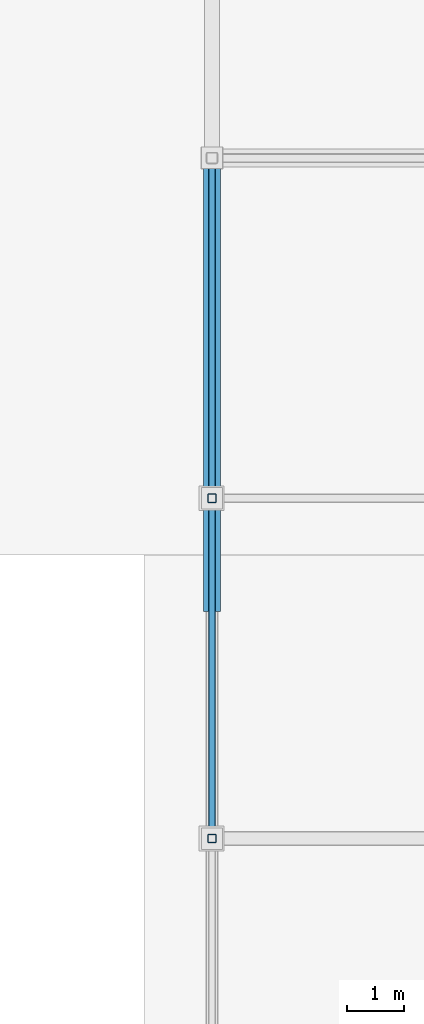
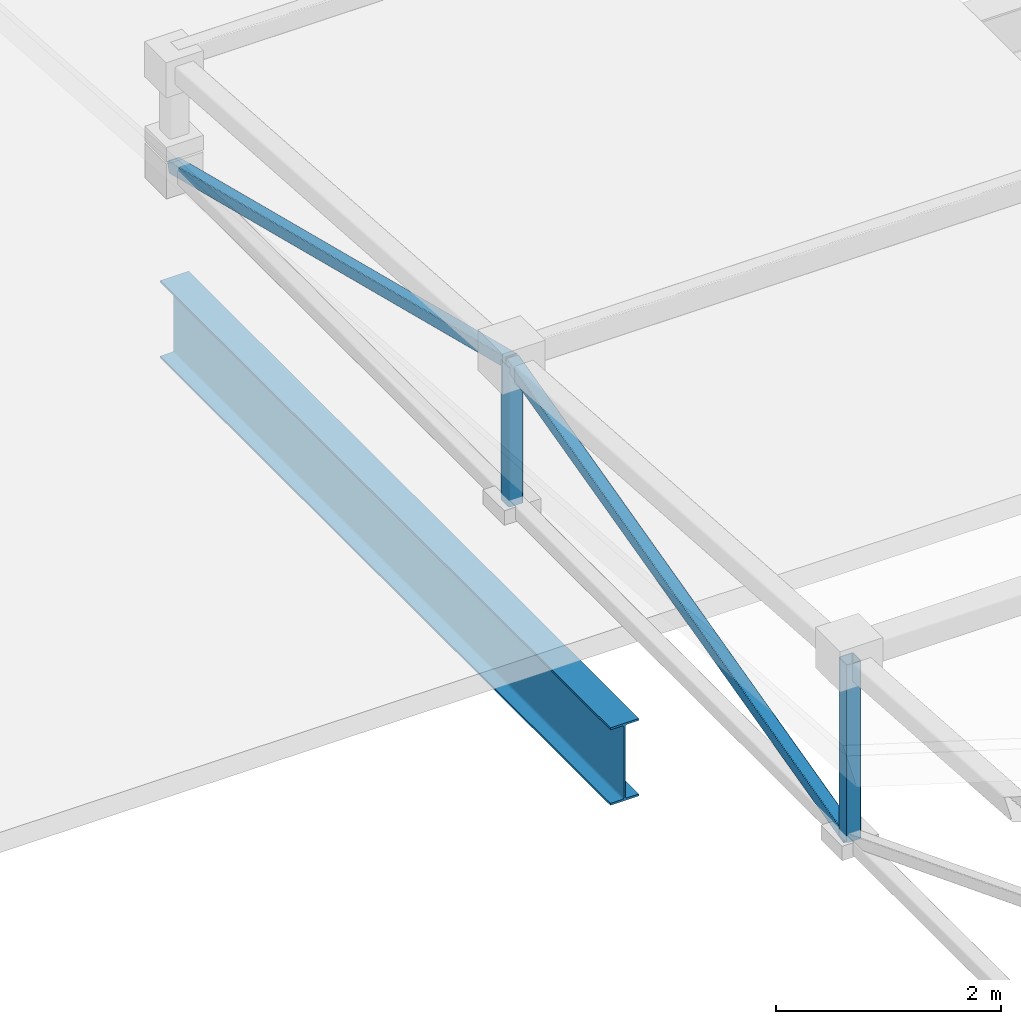
# One storey, part 36 of 85: 4 members, 1 beam.
"""IFC4 building model written with IfcOpenShell, lengths in metres."""

from ifc_helpers import new_model, si_unit, direction, frame, origin, origin_2d, place, context, subcontext, project, spatial, hollow_rectangle, i_section, extrude, material, material_profile, profile_set, type_object, element, save


model = new_model("IFC4")

# Units and contexts
model_context = context("Model", 3, precision=1e-05, world=origin(), true_north=direction((0.0, 1.0)))
body_context = subcontext(model_context, "Body", "Model", "MODEL_VIEW")
ifc_project = project(units=[si_unit("LENGTHUNIT", "METRE"), si_unit("AREAUNIT", "SQUARE_METRE"), si_unit("VOLUMEUNIT", "CUBIC_METRE"), si_unit("PLANEANGLEUNIT", "RADIAN"), si_unit("MASSUNIT", "GRAM", prefix="KILO"), si_unit("THERMODYNAMICTEMPERATUREUNIT", "KELVIN"), si_unit("POWERUNIT", "WATT")], contexts=[model_context])

# Site, building, storey
site_placement = place(None, origin())
site = spatial("IfcSite", under=ifc_project, at=site_placement, CompositionType="ELEMENT")
building_placement = place(site_placement, origin())
building = spatial("IfcBuilding", under=site, at=building_placement, Name="Zelmaris Science Centre", CompositionType="ELEMENT")
storey_placement = place(building_placement, frame((0.0, 0.0, 20.39990234375)))
storey = spatial("IfcBuildingStorey", under=building, at=storey_placement, Name="L04", CompositionType="ELEMENT", Elevation=20.39990234375)

# Beam
ifc_material_1 = material(Name="Steel ASTM A992 Grade 50", Category="steel")
ifc_material_profile_1 = material_profile(ifc_material_1, i_section(OverallWidth=0.2919921875, OverallDepth=0.841064453125, WebThickness=0.0146484375, FlangeThickness=0.021728515625, FilletRadius=0.02001953125, at=origin_2d()), Name="W33X130")
ifc_profile_set_1 = profile_set([ifc_material_profile_1], Name="Steel ASTM A992 Grade 50")
beam_type = type_object("IfcBeamType", Name="Beam G-07 W33X130", PredefinedType="BEAM", material=ifc_profile_set_1)
beam_placement = place(storey_placement, frame((108.0, 48.0, -0.67041015625), z_axis=(0.0, 1.0, 0.0), x_axis=(-1.0, 0.0, 0.0)))
element("IfcBeam", 1, at=beam_placement, inside=storey, type_object=beam_type, Name="L04 North-south girder 840", PredefinedType="BEAM", context=body_context, shape_type="SweptSolid", body=[
    extrude(i_section(OverallWidth=0.2919921875, OverallDepth=0.841064453125, WebThickness=0.0146484375, FlangeThickness=0.021728515625, FilletRadius=0.02001953125, at=origin_2d()), origin(), (0.0, 0.0, 1.0), 8.0),
])

# Members
ifc_material_2 = material(Name="Steel ASTM A500 Grade C", Category="steel")
ifc_material_profile_2 = material_profile(ifc_material_2, hollow_rectangle(XDim=0.15234375, YDim=0.15234375, WallThickness=0.0087890625, InnerFilletRadius=0.0087890625, OuterFilletRadius=0.017822265625, at=origin_2d()), Name="HSS152X152X10")
ifc_profile_set_2 = profile_set([ifc_material_profile_2], Name="Steel ASTM A500 Grade C")
member_type_1 = type_object("IfcMemberType", Name="Structural Brace BR-03 HSS152X152X10", PredefinedType="BRACE", material=ifc_profile_set_2)
member_1_placement = place(storey_placement, frame((108.0, 44.0, 0.947998046875), z_axis=(0.0, 0.0, 1.0), x_axis=(1.0, 0.0, 0.0)))
element("IfcMember", 2, at=member_1_placement, inside=storey, type_object=member_type_1, Name="RF-V4 Roof truss 1 vertical web 6", PredefinedType="BRACE", context=body_context, shape_type="SweptSolid", body=[
    extrude(hollow_rectangle(XDim=0.15234375, YDim=0.15234375, WallThickness=0.0087890625, InnerFilletRadius=0.0087890625, OuterFilletRadius=0.017822265625, at=origin_2d()), origin(), (0.0, 0.0, 1.0), 1.9248046875),
])
member_2_placement = place(storey_placement, frame((108.0, 50.0, 0.947998046875), z_axis=(0.0, 0.0, 1.0), x_axis=(1.0, 0.0, 0.0)))
element("IfcMember", 3, at=member_2_placement, inside=storey, type_object=member_type_1, Name="RF-V4 Roof truss 1 vertical web 7", PredefinedType="BRACE", context=body_context, shape_type="SweptSolid", body=[
    extrude(hollow_rectangle(XDim=0.15234375, YDim=0.15234375, WallThickness=0.0087890625, InnerFilletRadius=0.0087890625, OuterFilletRadius=0.017822265625, at=origin_2d()), origin(), (0.0, 0.0, 1.0), 1.512451171875),
])
ifc_material_profile_3 = material_profile(ifc_material_2, hollow_rectangle(XDim=0.126953125, YDim=0.126953125, WallThickness=0.00732421875, InnerFilletRadius=0.00732421875, OuterFilletRadius=0.014892578125, at=origin_2d()), Name="HSS127X127X8")
ifc_profile_set_3 = profile_set([ifc_material_profile_3], Name="Steel ASTM A500 Grade C")
member_type_2 = type_object("IfcMemberType", Name="Structural Brace BR-04 HSS127X127X8", PredefinedType="BRACE", material=ifc_profile_set_3)
for number, where, z_axis, x_axis, name in (
    (4, (108.0, 44.0, 0.947998046875), (0.0, 0.969667181253, 0.244429044102), (-1.0, 0.0, 0.0), "RF-V4 Roof truss 1 web diagonal 7"),
    (5, (108.0, 50.0, 2.46044921875), (0.0, 0.969667181253, -0.244429044102), (-1.0, 0.0, 0.0), "RF-V4 Roof truss 1 web diagonal 8"),
):
    element("IfcMember", number, at=place(storey_placement, frame(where, z_axis=z_axis, x_axis=x_axis)), inside=storey, type_object=member_type_2, Name=name, PredefinedType="BRACE", context=body_context, shape_type="SweptSolid", body=[
        extrude(hollow_rectangle(XDim=0.126953125, YDim=0.126953125, WallThickness=0.00732421875, InnerFilletRadius=0.00732421875, OuterFilletRadius=0.014892578125, at=origin_2d()), origin(), (0.0, 0.0, 1.0), 6.187744140625),
    ])

save(model, "model.ifc")
